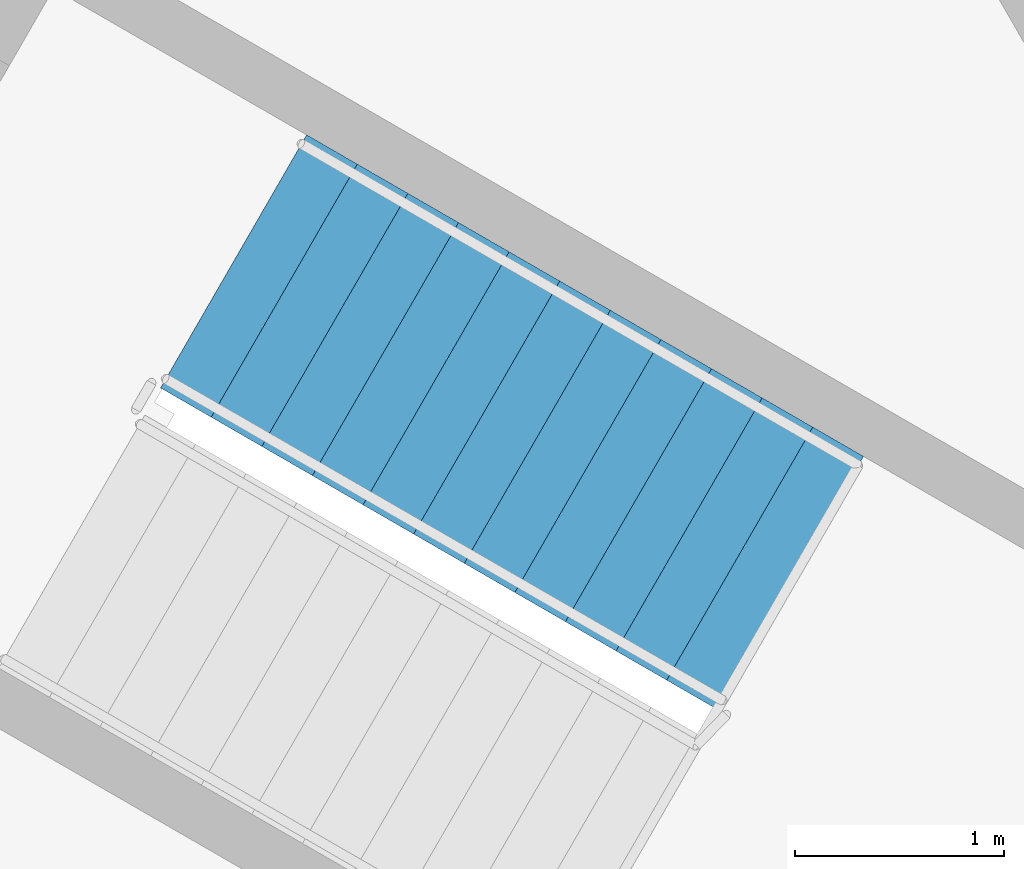
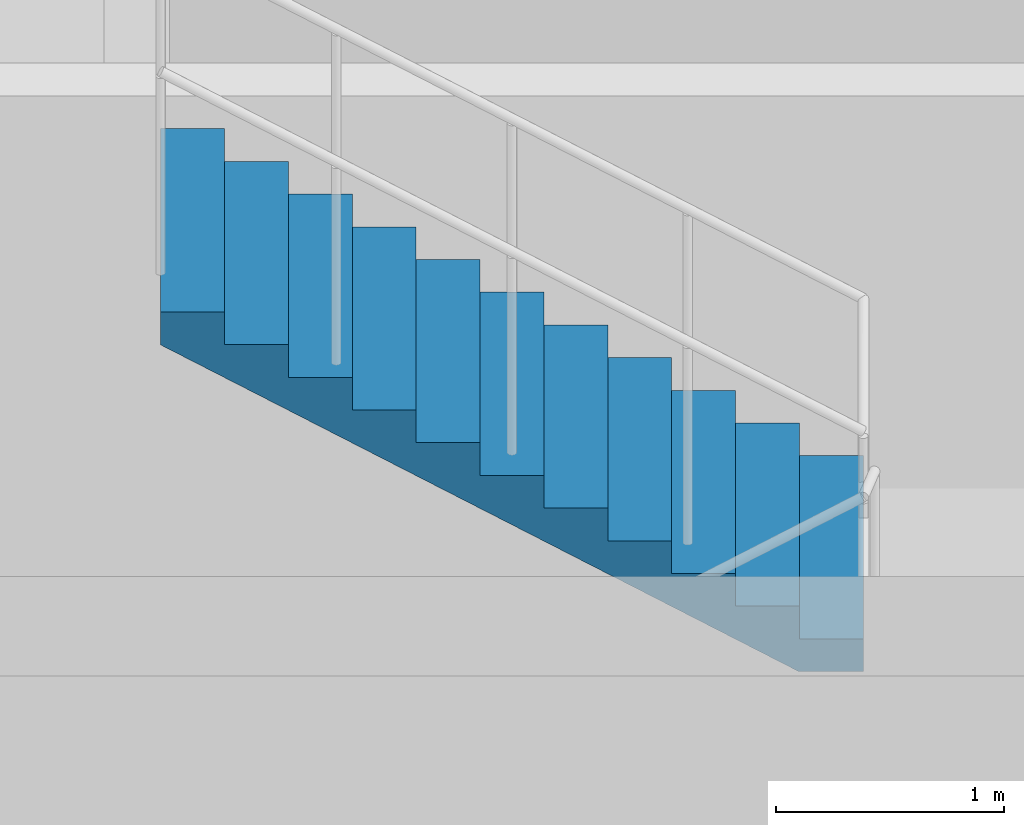
# One storey, part 9 of 10: 1 stair flight, 1 element without a shape of its own.
"""IFC4 building model written with IfcOpenShell, lengths in metres."""

import ifcopenshell
import ifcopenshell.guid

model = None  # the IFC model being written
_history = None  # IfcOwnerHistory: only IFC2X3 demands one
_inside = {}  # id of a spatial element -> (the spatial element, [elements in it])
_under = {}  # id of a project, library or spatial element -> (it, [spatial elements below it])
_declared = {}  # id of a project -> (the project, [libraries it declares])
_typed = {}  # id of a type object -> (the type object, [elements of that type])
_made_of = {}  # id of a material, layer set ... -> (it, [elements and type objects made of it])


def new_model(schema):
    """Start an empty IFC model of exactly this schema.

    Asked for "IFC4X3", IfcOpenShell would pick the latest addendum, in which some entities
    have other attributes; the version numbers below select the first issue.
    IFC2X3 requires an IfcOwnerHistory on every rooted entity: one is made here for all.
    """
    global model, _history
    if schema == "IFC4X3":
        model = ifcopenshell.file(schema_version=(4, 3, 0, 0))
    else:
        model = ifcopenshell.file(schema=schema)
    _inside.clear()
    _under.clear()
    _declared.clear()
    _typed.clear()
    _made_of.clear()
    _history = None
    if model.schema == "IFC2X3":
        org = make("IfcOrganization", Name="unknown")
        user = make(
            "IfcPersonAndOrganization",
            ThePerson=make("IfcPerson", FamilyName="unknown"),
            TheOrganization=org,
        )
        app = make(
            "IfcApplication",
            ApplicationDeveloper=org,
            Version="unknown",
            ApplicationFullName="unknown",
            ApplicationIdentifier="unknown",
        )
        _history = make(
            "IfcOwnerHistory",
            OwningUser=user,
            OwningApplication=app,
            ChangeAction="ADDED",
            CreationDate=0,
        )
    return model


def make(cls, **values):
    """One entity of the class cls with the attributes given. An attribute that is None is left unset."""
    return model.create_entity(
        cls, **{name: value for name, value in values.items() if value is not None}
    )


def rooted(cls, **values):
    """An entity with a GlobalId (a new one), such as an element, a storey or a relation."""
    return make(cls, GlobalId=ifcopenshell.guid.new(), OwnerHistory=_history, **values)


def si_unit(unit_type, name, prefix=None):
    """IfcSIUnit, for example si_unit("LENGTHUNIT", "METRE", prefix="MILLI")."""
    return make("IfcSIUnit", UnitType=unit_type, Prefix=prefix, Name=name)


def assignment(units):
    """IfcUnitAssignment: the units of a project."""
    return None if units is None else make("IfcUnitAssignment", Units=units)


def point(xyz):
    """IfcCartesianPoint."""
    return None if xyz is None else make("IfcCartesianPoint", Coordinates=xyz)


def direction(xyz):
    """IfcDirection."""
    return None if xyz is None else make("IfcDirection", DirectionRatios=xyz)


def frame(location, z_axis=None, x_axis=None):
    """IfcAxis2Placement3D, a coordinate frame: its origin and axes. An axis left out is left unset."""
    return make(
        "IfcAxis2Placement3D",
        Location=point(location),
        Axis=direction(z_axis),
        RefDirection=direction(x_axis),
    )


def origin():
    """The frame at (0, 0, 0) with its axes left unset."""
    return frame((0.0, 0.0, 0.0))


def place(relative_to, where):
    """IfcLocalPlacement: puts the frame where relative to a parent placement (None: the world)."""
    return make(
        "IfcLocalPlacement", PlacementRelTo=relative_to, RelativePlacement=where
    )


def context(
    kind, dimensions, precision=None, world=None, true_north=None, identifier=None
):
    """IfcGeometricRepresentationContext, for example the 3D "Model" context."""
    return make(
        "IfcGeometricRepresentationContext",
        ContextIdentifier=identifier,
        ContextType=kind,
        CoordinateSpaceDimension=dimensions,
        Precision=precision,
        WorldCoordinateSystem=world,
        TrueNorth=true_north,
    )


def subcontext(parent, identifier, kind, view, scale=None):
    """IfcGeometricRepresentationSubContext, for example "Body" below "Model"."""
    return make(
        "IfcGeometricRepresentationSubContext",
        ContextIdentifier=identifier,
        ContextType=kind,
        ParentContext=parent,
        TargetScale=scale,
        TargetView=view,
    )


def project(units=None, contexts=None):
    """IfcProject with its units and contexts."""
    return rooted(
        "IfcProject",
        Name="project",
        RepresentationContexts=contexts,
        UnitsInContext=assignment(units),
    )


def spatial(cls, under=None, at=None, **own):
    """A site, building, storey or space (cls), placed at a placement, below another one or the project."""
    s = rooted(cls, ObjectPlacement=at, **own)
    if under is not None:
        _under.setdefault(under.id(), (under, []))[1].append(s)
    return s


def polyline(points):
    """IfcPolyline through the points."""
    return make("IfcPolyline", Points=[point(p) for p in points])


def outline(outer, holes=None, kind="AREA"):
    """IfcArbitraryClosedProfileDef: a profile drawn as a closed curve; with holes, ...WithVoids."""
    if holes is None:
        return make("IfcArbitraryClosedProfileDef", ProfileType=kind, OuterCurve=outer)
    return make(
        "IfcArbitraryProfileDefWithVoids",
        ProfileType=kind,
        OuterCurve=outer,
        InnerCurves=holes,
    )


def extrude(swept, where, along, depth):
    """IfcExtrudedAreaSolid: the profile swept, set in the frame where, extruded along a direction by depth."""
    return make(
        "IfcExtrudedAreaSolid",
        SweptArea=swept,
        Position=where,
        ExtrudedDirection=direction(along),
        Depth=depth,
    )


def shape(context_of_items, identifier, shape_type, items):
    """IfcShapeRepresentation: the items that make up one representation, for example the "Body"."""
    return make(
        "IfcShapeRepresentation",
        ContextOfItems=context_of_items,
        RepresentationIdentifier=identifier,
        RepresentationType=shape_type,
        Items=items,
    )


def material(Name=None, Category=None):
    """IfcMaterial."""
    return make("IfcMaterial", Name=Name, Category=Category)


def made_of(thing, what):
    """Note that an element or type object is made of a material, layer set ...; save() writes the relation."""
    if what is not None:
        _made_of.setdefault(what.id(), (what, []))[1].append(thing)
    return thing


def type_object(cls, material=None, **own):
    """A type object (cls), such as IfcWallType, which elements share."""
    return made_of(rooted(cls, **own), material)


def element(
    cls,
    number,
    at=None,
    inside=None,
    cuts=None,
    type_object=None,
    material=None,
    context=None,
    identifier="Body",
    shape_type=None,
    held_by="IfcProductDefinitionShape",
    body=None,
    shapes=None,
    **own,
):
    """One element of the class cls, such as IfcWall. Its Tag is "e" and its number.

    at: its placement. inside: the storey or other place that contains it. cuts: it is an
    opening in that element (IfcRelVoidsElement). A single representation is given by context,
    identifier, shape_type and body (its items); several are given by shapes. held_by: the class
    of the entity that holds the representations. save() writes the other relations.
    """
    e = rooted(cls, Tag="e%d" % number, ObjectPlacement=at, **own)
    if body is not None:
        shapes = [shape(context, identifier, shape_type, body)]
    if shapes is not None:
        e.Representation = make(held_by, Representations=shapes)
    if inside is not None:
        _inside.setdefault(inside.id(), (inside, []))[1].append(e)
    if cuts is not None:
        rooted(
            "IfcRelVoidsElement", RelatingBuildingElement=cuts, RelatedOpeningElement=e
        )
    if type_object is not None:
        _typed.setdefault(type_object.id(), (type_object, []))[1].append(e)
    return made_of(e, material)


def aggregate(whole, parts):
    """IfcRelAggregates: a whole, such as a stair, and the parts it consists of."""
    return rooted("IfcRelAggregates", RelatingObject=whole, RelatedObjects=parts)


def save(model, path):
    """Write the relations noted so far, then the file.

    IfcRelAggregates (storeys below a building ...), IfcRelContainedInSpatialStructure (elements
    in a storey), IfcRelDefinesByType, IfcRelAssociatesMaterial and IfcRelDeclares: one each for
    every whole, place, type object, material and project.
    """
    for whole, parts in _under.values():
        aggregate(whole, parts)
    for where, things in _inside.values():
        rooted(
            "IfcRelContainedInSpatialStructure",
            RelatedElements=things,
            RelatingStructure=where,
        )
    for kind, things in _typed.values():
        rooted("IfcRelDefinesByType", RelatedObjects=things, RelatingType=kind)
    for what, things in _made_of.values():
        rooted("IfcRelAssociatesMaterial", RelatedObjects=things, RelatingMaterial=what)
    for by, libraries in _declared.values():
        rooted("IfcRelDeclares", RelatingContext=by, RelatedDefinitions=libraries)
    model.write(path)


model = new_model("IFC4")

# Units and contexts
model_context = context("Model", 3, precision=1e-05, world=origin(), true_north=direction((0.0, 1.0)))
body_context = subcontext(model_context, "Body", "Model", "MODEL_VIEW")
ifc_project = project(units=[si_unit("LENGTHUNIT", "METRE"), si_unit("AREAUNIT", "SQUARE_METRE"), si_unit("VOLUMEUNIT", "CUBIC_METRE"), si_unit("PLANEANGLEUNIT", "RADIAN"), si_unit("MASSUNIT", "GRAM", prefix="KILO")], contexts=[model_context])

# Site, building, storey
site_placement = place(None, origin())
site = spatial("IfcSite", under=ifc_project, at=site_placement, CompositionType="ELEMENT")
building_placement = place(site_placement, origin())
building = spatial("IfcBuilding", under=site, at=building_placement, Name="Mestral Congress Tower", CompositionType="ELEMENT")
storey_placement = place(building_placement, frame((0.0, 0.0, 309.0)))
storey = spatial("IfcBuildingStorey", under=building, at=storey_placement, Name="L72", CompositionType="ELEMENT", Elevation=309.0)

# Stair, stair flight
ifc_material = material(Name="Concrete C60/75", Category="concrete")
stair_type = type_object("IfcStairType", Name="Exit stair 1400", PredefinedType="HALF_TURN_STAIR", material=ifc_material)
stair_placement = place(storey_placement, origin())
stair = element("IfcStair", 1, at=stair_placement, inside=storey, type_object=stair_type, Name="L72 ST1", PredefinedType="HALF_TURN_STAIR")
stair_flight_type = type_object("IfcStairFlightType", Name="Exit stair flight 1400", PredefinedType="STRAIGHT", material=ifc_material)
stair_flight_placement = place(storey_placement, frame((12.018310546875, -6.0439453125, 2.10009765625), z_axis=(0.0, 0.0, 1.0), x_axis=(-0.866025403784, 0.5, 0.0)))
stair_flight = element("IfcStairFlight", 2, at=stair_flight_placement, type_object=stair_flight_type, Name="ST1 flight 2", NumberOfRisers=12, NumberOfTreads=11, PredefinedType="STRAIGHT", RiserHeight=0.175, TreadLength=0.28, context=body_context, shape_type="SweptSolid", body=[
    extrude(outline(polyline([(0.0, 0.0), (0.0, 0.175048828125), (0.280029296875, 0.175048828125), (0.280029296875, 0.35009765625), (0.56005859375, 0.35009765625), (0.56005859375, 0.52490234375), (0.840087890625, 0.52490234375), (0.840087890625, 0.699951171875), (1.1201171875, 0.699951171875), (1.1201171875, 0.875), (1.39990234375, 0.875), (1.39990234375, 1.050048828125), (1.679931640625, 1.050048828125), (1.679931640625, 1.22509765625), (1.9599609375, 1.22509765625), (1.9599609375, 1.39990234375), (2.239990234375, 1.39990234375), (2.239990234375, 1.574951171875), (2.52001953125, 1.574951171875), (2.52001953125, 1.75), (2.800048828125, 1.75), (2.800048828125, 1.925048828125), (3.080078125, 1.925048828125), (3.080078125, 2.10009765625), (3.080078125, 1.748291015625), (0.28271484375, 0.0), (0.0, 0.0)])), frame((0.0, 0.699951171875, 0.0), z_axis=(0.0, -1.0, 0.0), x_axis=(1.0, 0.0, 0.0)), (0.0, 0.0, 1.0), 1.39990234375),
])
aggregate(stair, [stair_flight])

save(model, "model.ifc")
